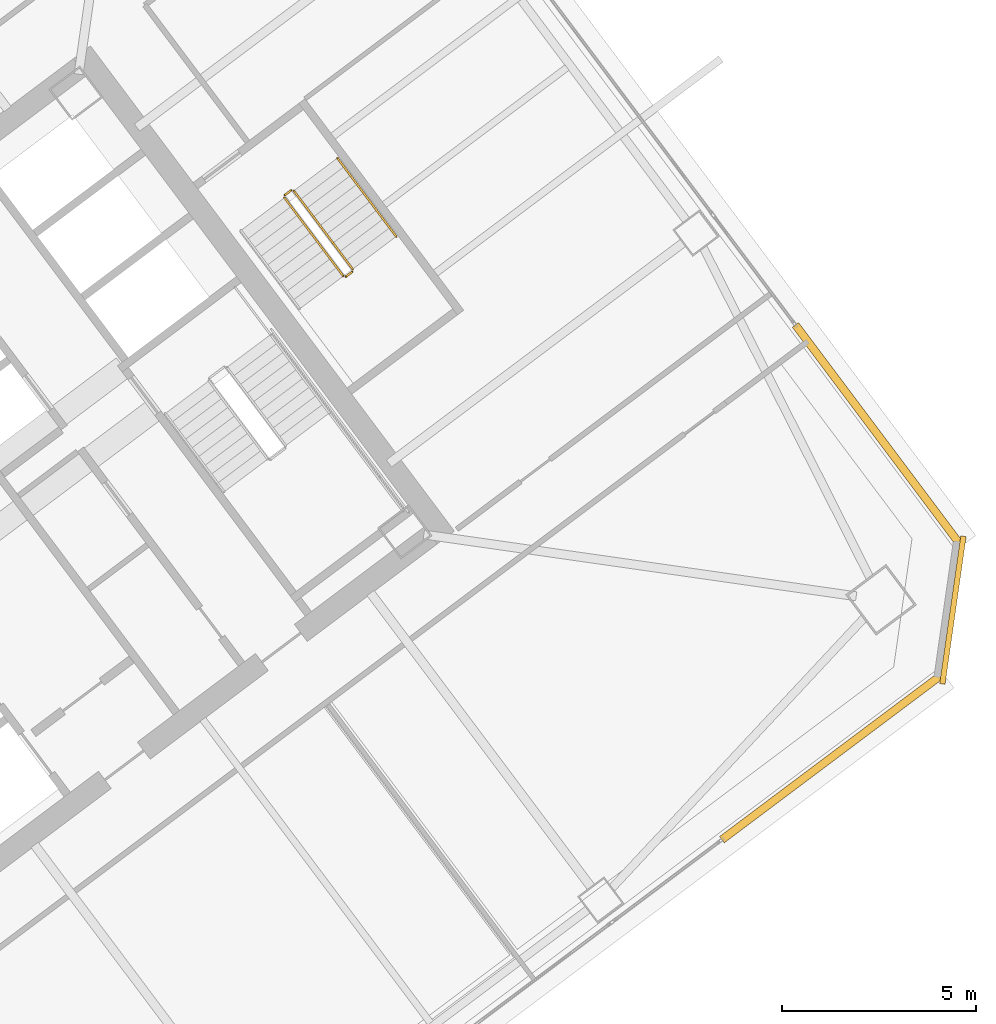
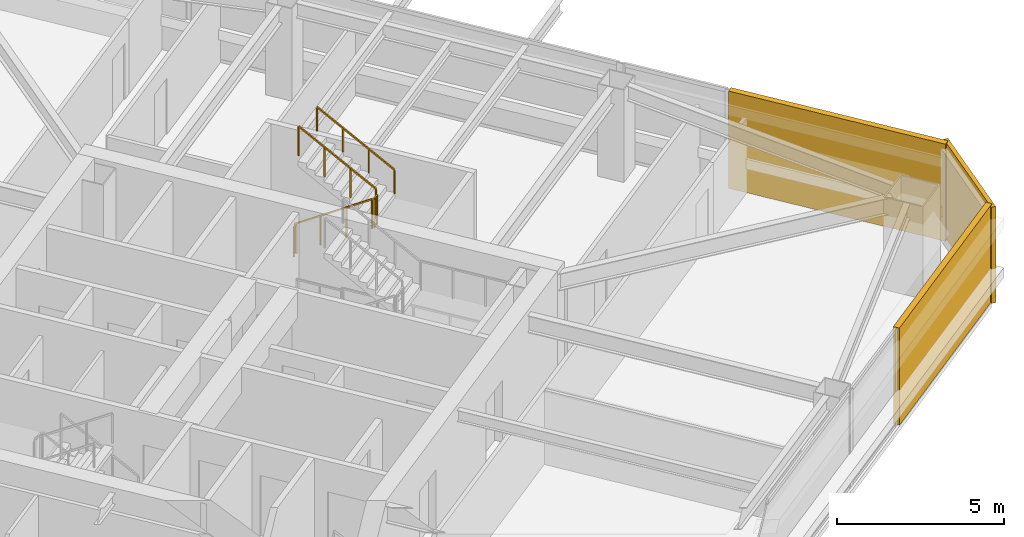
# One storey, part 39 of 40: 5 railings, 3 coverings.
"""IFC4 building model written with IfcOpenShell, lengths in metres."""

from ifc_helpers import new_model, si_unit, direction, frame, origin, origin_2d, place, context, subcontext, project, spatial, rectangle, extrude, material, layer, layer_set, type_object, element, save


model = new_model("IFC4")

# Units and contexts
model_context = context("Model", 3, precision=1e-05, world=origin(), true_north=direction((0.0, 1.0)))
body_context = subcontext(model_context, "Body", "Model", "MODEL_VIEW")
ifc_project = project(units=[si_unit("LENGTHUNIT", "METRE"), si_unit("AREAUNIT", "SQUARE_METRE"), si_unit("VOLUMEUNIT", "CUBIC_METRE"), si_unit("PLANEANGLEUNIT", "RADIAN"), si_unit("MASSUNIT", "GRAM", prefix="KILO")], contexts=[model_context])

# Site, building, storey
site_placement = place(None, origin())
site = spatial("IfcSite", under=ifc_project, at=site_placement, CompositionType="ELEMENT")
building_placement = place(site_placement, origin())
building = spatial("IfcBuilding", under=site, at=building_placement, Name="Tashvorn Skyway Center", CompositionType="ELEMENT")
storey_placement = place(building_placement, frame((0.0, 0.0, 142.800048828125)))
storey = spatial("IfcBuildingStorey", under=building, at=storey_placement, Name="L38", CompositionType="ELEMENT", Elevation=142.800048828125)

# Coverings
ifc_material_1 = material(Name="Precast concrete C40/50", Category="concrete")
ifc_layer_1 = layer(ifc_material_1, 0.199951171875)
ifc_layer_set_1 = layer_set([ifc_layer_1], Name="Precast concrete C40/50")
covering_type_1 = type_object("IfcCoveringType", Name="COV-BRACE-CLAD", PredefinedType="CLADDING", material=ifc_layer_set_1)
for number, where, z_axis, x_axis, name in (
    (1, (134.848876953125, 24.78662109375, 0.0), (0.0, 0.0, 1.0), (-0.799999996291, -0.600000004945, 0.0), "Tower 2 L38 South Unitised Curtain Wall Mega-Brace Cladding Band 1"),
    (2, (136.03466796875, 33.087158203125, 0.0), (0.0, 0.0, 1.0), (0.600000004945, -0.799999996291, 0.0), "Tower 2 L38 East Unitised Curtain Wall Mega-Brace Cladding Band 2"),
):
    element("IfcCovering", number, at=place(storey_placement, frame(where, z_axis=z_axis, x_axis=x_axis)), inside=storey, type_object=covering_type_1, Name=name, PredefinedType="CLADDING", context=body_context, shape_type="SweptSolid", body=[
        extrude(rectangle(XDim=7.057861328125, YDim=0.199951171875, at=origin_2d()), origin(), (0.0, 0.0, 1.0), 3.550048828125),
    ])
ifc_layer_2 = layer(ifc_material_1, 0.35009765625)
ifc_layer_set_2 = layer_set([ifc_layer_2], Name="Precast concrete C40/50")
covering_type_2 = type_object("IfcCoveringType", Name="COV-STONE-TRIM", PredefinedType="CLADDING", material=ifc_layer_set_2)
covering_placement = place(storey_placement, frame((137.968017578125, 28.575927734375, 0.02001953125), z_axis=(0.0, 0.0, 1.0), x_axis=(0.141421350118, 0.989949494535, 0.0)))
element("IfcCovering", 3, at=covering_placement, inside=storey, type_object=covering_type_2, Name="Tower 2 L38 SE Mojave Limestone Corner Quoin", PredefinedType="CLADDING", context=body_context, shape_type="SweptSolid", body=[
    extrude(rectangle(XDim=3.8369140625, YDim=0.139892578125, at=origin_2d()), origin(), (0.0, 0.0, 1.0), 3.510009765625),
])

# Railings
ifc_material_2 = material(Name="Brushed stainless steel 316", Category="steel")
railing_type_1 = type_object("IfcRailingType", Name="RAIL-HAND-920", PredefinedType="HANDRAIL", material=ifc_material_2)
railing_1_placement = place(storey_placement, frame((123.64794921875, 38.18603515625, 1.952392578125)))
element("IfcRailing", 4, at=railing_1_placement, inside=storey, type_object=railing_type_1, Name="L38 ST-T2-3 stair handrail 2", PredefinedType="HANDRAIL", context=body_context, shape_type="SweptSolid", body=[
    extrude(rectangle(XDim=0.048095703125, YDim=0.048095703125, at=origin_2d()), frame((0.0, 0.0, 0.8759765625), z_axis=(-0.50674661542, 0.675634878657, 0.535467439255), x_axis=(-0.79998837352, -0.60001550166, 0.0)), (0.0, 0.0, 1.0), 2.983642578125),
    extrude(rectangle(XDim=0.0419921875, YDim=0.0419921875, at=origin_2d()), origin(), (0.0, 0.0, 1.0), 0.851806640625),
    extrude(rectangle(XDim=0.0419921875, YDim=0.0419921875, at=origin_2d()), frame((-0.50390625, 0.671875, 0.532470703125)), (0.0, 0.0, 1.0), 0.851806640625),
    extrude(rectangle(XDim=0.0419921875, YDim=0.0419921875, at=origin_2d()), frame((-1.008056640625, 1.343994140625, 1.065185546875)), (0.0, 0.0, 1.0), 0.851806640625),
    extrude(rectangle(XDim=0.0419921875, YDim=0.0419921875, at=origin_2d()), frame((-1.511962890625, 2.015869140625, 1.59765625)), (0.0, 0.0, 1.0), 0.851806640625),
])
ifc_material_3 = material(Name="Painted galvanized steel S355", Category="steel")
railing_type_2 = type_object("IfcRailingType", Name="RAIL-STGUARD-1100", PredefinedType="GUARDRAIL", material=ifc_material_3)
railing_2_placement = place(storey_placement, frame((120.77587890625, 39.181884765625, 0.177490234375)))
element("IfcRailing", 5, at=railing_2_placement, inside=storey, type_object=railing_type_2, Name="L38 ST-T2-3 stair guard 1", PredefinedType="GUARDRAIL", context=body_context, shape_type="SweptSolid", body=[
    extrude(rectangle(XDim=0.048095703125, YDim=0.048095703125, at=origin_2d()), frame((0.0, 0.0, 1.076171875), z_axis=(0.506829628838, -0.67563646195, 0.535386868177), x_axis=(0.799941867976, 0.600077501544, 0.0)), (0.0, 0.0, 1.0), 2.983642578125),
    extrude(rectangle(XDim=0.0419921875, YDim=0.0419921875, at=origin_2d()), origin(), (0.0, 0.0, 1.0), 1.052001953125),
    extrude(rectangle(XDim=0.0419921875, YDim=0.0419921875, at=origin_2d()), frame((0.504150390625, -0.671875, 0.532470703125)), (0.0, 0.0, 1.0), 1.052001953125),
    extrude(rectangle(XDim=0.0419921875, YDim=0.0419921875, at=origin_2d()), frame((1.008056640625, -1.343994140625, 1.06494140625)), (0.0, 0.0, 1.0), 1.052001953125),
    extrude(rectangle(XDim=0.0419921875, YDim=0.0419921875, at=origin_2d()), frame((1.51220703125, -2.015869140625, 1.597412109375)), (0.0, 0.0, 1.0), 1.052001953125),
])
railing_3_placement = place(storey_placement, frame((122.35791015625, 37.156005859375, 1.77490234375)))
element("IfcRailing", 6, at=railing_3_placement, inside=storey, type_object=railing_type_2, Name="L38 ST-T2-3 stair guard 2", PredefinedType="GUARDRAIL", context=body_context, shape_type="SweptSolid", body=[
    extrude(rectangle(XDim=0.048095703125, YDim=0.048095703125, at=origin_2d()), frame((0.0, 0.0, 1.076171875), z_axis=(0.800585412921, 0.599218655098, 0.0), x_axis=(-0.599218655098, 0.800585412921, 0.0)), (0.0, 0.0, 1.0), 0.199951171875),
    extrude(rectangle(XDim=0.0419921875, YDim=0.0419921875, at=origin_2d()), origin(), (0.0, 0.0, 1.0), 1.052001953125),
    extrude(rectangle(XDim=0.0419921875, YDim=0.0419921875, at=origin_2d()), frame((0.16015625, 0.119873046875, 0.0)), (0.0, 0.0, 1.0), 1.052001953125),
])
railing_4_placement = place(storey_placement, frame((122.528076171875, 37.345947265625, 1.952392578125)))
element("IfcRailing", 7, at=railing_4_placement, inside=storey, type_object=railing_type_2, Name="L38 ST-T2-3 stair guard 3", PredefinedType="GUARDRAIL", context=body_context, shape_type="SweptSolid", body=[
    extrude(rectangle(XDim=0.048095703125, YDim=0.048095703125, at=origin_2d()), frame((0.0, 0.0, 1.076171875), z_axis=(-0.506718600913, 0.675679348675, 0.535437836974), x_axis=(-0.800023250257, -0.599968998406, 0.0)), (0.0, 0.0, 1.0), 2.98388671875),
    extrude(rectangle(XDim=0.0419921875, YDim=0.0419921875, at=origin_2d()), origin(), (0.0, 0.0, 1.0), 1.052001953125),
    extrude(rectangle(XDim=0.0419921875, YDim=0.0419921875, at=origin_2d()), frame((-0.50390625, 0.672119140625, 0.532470703125)), (0.0, 0.0, 1.0), 1.052001953125),
    extrude(rectangle(XDim=0.0419921875, YDim=0.0419921875, at=origin_2d()), frame((-1.008056640625, 1.343994140625, 1.065185546875)), (0.0, 0.0, 1.0), 1.052001953125),
    extrude(rectangle(XDim=0.0419921875, YDim=0.0419921875, at=origin_2d()), frame((-1.511962890625, 2.01611328125, 1.59765625)), (0.0, 0.0, 1.0), 1.052001953125),
])
railing_5_placement = place(storey_placement, frame((120.785888671875, 39.251953125, 0.0)))
element("IfcRailing", 8, at=railing_5_placement, inside=storey, type_object=railing_type_2, Name="L38 ST-T2-3 stair guard 4", PredefinedType="GUARDRAIL", context=body_context, shape_type="SweptSolid", body=[
    extrude(rectangle(XDim=0.048095703125, YDim=0.048095703125, at=origin_2d()), frame((0.0, 0.0, 1.076171875), z_axis=(0.8, 0.6, 0.0), x_axis=(-0.6, 0.8, 0.0)), (0.0, 0.0, 1.0), 0.2001953125),
    extrude(rectangle(XDim=0.0419921875, YDim=0.0419921875, at=origin_2d()), origin(), (0.0, 0.0, 1.0), 1.052001953125),
    extrude(rectangle(XDim=0.0419921875, YDim=0.0419921875, at=origin_2d()), frame((0.16015625, 0.1201171875, 0.0)), (0.0, 0.0, 1.0), 1.052001953125),
])

save(model, "model.ifc")
